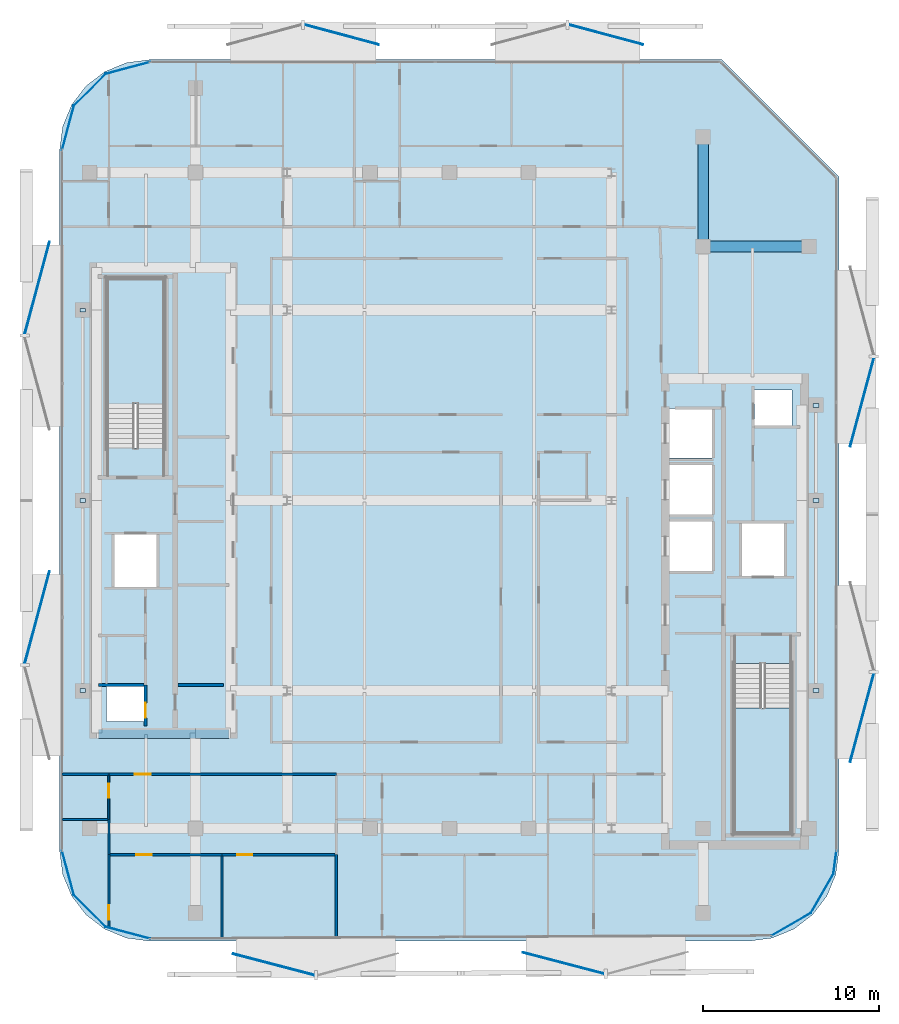
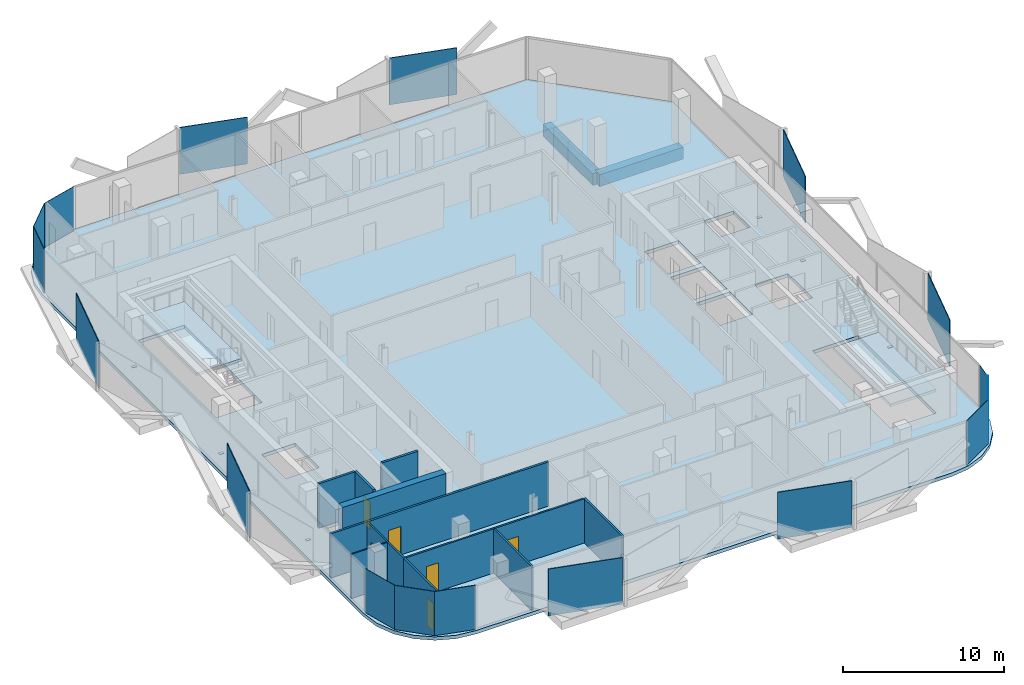
# One storey, part 2 of 15: 23 plates, 14 walls, 6 doors, 3 slabs, 2 beams, 6 openings, 2 elements without a shape of their own.
"""IFC4 building model written with IfcOpenShell, lengths in metres."""

from ifc_helpers import new_model, si_unit, direction, frame, frame_2d, origin, origin_2d, place, context, subcontext, project, spatial, polyline, rectangle, outline, extrude, material, layer, layer_set, material_profile, profile_set, type_object, element, fill, aggregate, save


model = new_model("IFC4")

# Units and contexts
model_context = context("Model", 3, precision=1e-05, world=origin(), true_north=direction((0.0, 1.0)))
body_context = subcontext(model_context, "Body", "Model", "MODEL_VIEW")
ifc_project = project(units=[si_unit("LENGTHUNIT", "METRE"), si_unit("AREAUNIT", "SQUARE_METRE"), si_unit("VOLUMEUNIT", "CUBIC_METRE"), si_unit("PLANEANGLEUNIT", "RADIAN"), si_unit("MASSUNIT", "GRAM", prefix="KILO")], contexts=[model_context])

# Site, building, storey
site_placement = place(None, origin())
site = spatial("IfcSite", under=ifc_project, at=site_placement, CompositionType="ELEMENT")
building_placement = place(site_placement, origin())
building = spatial("IfcBuilding", under=site, at=building_placement, Name="Khairoan Windgate Tower", CompositionType="ELEMENT")
storey_placement = place(building_placement, frame((0.0, 0.0, 251.199951171875)))
storey = spatial("IfcBuildingStorey", under=building, at=storey_placement, Name="L59", CompositionType="ELEMENT", Elevation=251.199951171875)

# Beams
ifc_material_1 = material(Name="Concrete C50/60", Category="concrete")
ifc_material_profile = material_profile(ifc_material_1, rectangle(XDim=0.60009765625, YDim=0.89990234375, at=origin_2d()))
ifc_profile_set = profile_set([ifc_material_profile], Name="Concrete C50/60")
beam_type = type_object("IfcBeamType", Name="Beam B-RC1 RC600x900", PredefinedType="BEAM", material=ifc_profile_set)
beam_1_placement = place(storey_placement, frame((14.39990234375, 14.39990234375, -0.7099609375), z_axis=(1.0, 0.0, 0.0), x_axis=(0.0, 1.0, 0.0)))
element("IfcBeam", 1, at=beam_1_placement, inside=storey, type_object=beam_type, Name="L59 E-W Primary Girder 21", PredefinedType="BEAM", context=body_context, shape_type="SweptSolid", body=[
    extrude(rectangle(XDim=0.60009765625, YDim=0.89990234375, at=origin_2d()), origin(), (0.0, 0.0, 1.0), 6.0),
])
beam_2_placement = place(storey_placement, frame((14.39990234375, 14.39990234375, -0.7099609375), z_axis=(0.0, 1.0, 0.0), x_axis=(-1.0, 0.0, 0.0)))
element("IfcBeam", 2, at=beam_2_placement, inside=storey, type_object=beam_type, Name="L59 N-S Primary Beam 53", PredefinedType="BEAM", context=body_context, shape_type="SweptSolid", body=[
    extrude(rectangle(XDim=0.60009765625, YDim=0.89990234375, at=origin_2d()), origin(), (0.0, 0.0, 1.0), 6.2001953125),
])

# Plates
ifc_material_2 = material(Name="Low-E Solar Control Laminated Glass", Category="glass")
ifc_layer_1 = layer(ifc_material_2, 0.030029296875, Name="Low-E Solar Control Laminated Glass")
ifc_layer_set_1 = layer_set([ifc_layer_1], Name="Low-E Solar Control Laminated Glass")
plate_type_1 = type_object("IfcPlateType", Name="Aerodynamic Wind-Corner Curved Glazing Plate", PredefinedType="USERDEFINED", material=ifc_layer_set_1)
plate_1_placement = place(storey_placement, frame((-18.235107421875, -24.527099609375, 0.0), z_axis=(0.0, 0.0, 1.0), x_axis=(-0.966061211211, 0.258313252067, 0.0)))
element("IfcPlate", 3, at=plate_1_placement, inside=storey, type_object=plate_type_1, Name="L59 Aerodynamic Wind-Corner Curved Glazing Panel 2", ObjectType="GLAZING PANEL", PredefinedType="USERDEFINED", context=body_context, shape_type="SweptSolid", body=[
    extrude(rectangle(XDim=2.6162109375, YDim=0.030029296875, at=origin_2d()), origin(), (0.0, 0.0, 1.0), 3.340087890625),
])
plate_2_placement = place(storey_placement, frame((-20.386962890625, -23.286865234375, 0.0), z_axis=(0.0, 0.0, 1.0), x_axis=(-0.707106781187, 0.707106781187, 0.0)))
element("IfcPlate", 4, at=plate_2_placement, inside=storey, type_object=plate_type_1, Name="L59 Aerodynamic Wind-Corner Curved Glazing Panel 3", ObjectType="GLAZING PANEL", PredefinedType="USERDEFINED", context=body_context, shape_type="SweptSolid", body=[
    extrude(rectangle(XDim=2.606689453125, YDim=0.030029296875, at=origin_2d()), origin(), (0.0, 0.0, 1.0), 3.340087890625),
])
for number, where, z_axis, x_axis, name in (
    (5, (-21.627197265625, -21.135009765625, 0.0), (0.0, 0.0, 1.0), (-0.258313252067, 0.966061211211, 0.0), "L59 Aerodynamic Wind-Corner Curved Glazing Panel 4"),
    (6, (-21.627197265625, 21.135009765625, 0.0), (0.0, 0.0, 1.0), (0.258313252067, 0.966061211211, 0.0), "L59 Aerodynamic Wind-Corner Curved Glazing Panel 6"),
):
    element("IfcPlate", number, at=place(storey_placement, frame(where, z_axis=z_axis, x_axis=x_axis)), inside=storey, type_object=plate_type_1, Name=name, ObjectType="GLAZING PANEL", PredefinedType="USERDEFINED", context=body_context, shape_type="SweptSolid", body=[
        extrude(rectangle(XDim=2.6162109375, YDim=0.030029296875, at=origin_2d()), origin(), (0.0, 0.0, 1.0), 3.340087890625),
    ])
plate_3_placement = place(storey_placement, frame((-20.386962890625, 23.286865234375, 0.0), z_axis=(0.0, 0.0, 1.0), x_axis=(0.707106781187, 0.707106781187, 0.0)))
element("IfcPlate", 7, at=plate_3_placement, inside=storey, type_object=plate_type_1, Name="L59 Aerodynamic Wind-Corner Curved Glazing Panel 7", ObjectType="GLAZING PANEL", PredefinedType="USERDEFINED", context=body_context, shape_type="SweptSolid", body=[
    extrude(rectangle(XDim=2.606689453125, YDim=0.030029296875, at=origin_2d()), origin(), (0.0, 0.0, 1.0), 3.340087890625),
])
plate_4_placement = place(storey_placement, frame((-18.235107421875, 24.527099609375, 0.0), z_axis=(0.0, 0.0, 1.0), x_axis=(0.966061211211, 0.258313252067, 0.0)))
element("IfcPlate", 8, at=plate_4_placement, inside=storey, type_object=plate_type_1, Name="L59 Aerodynamic Wind-Corner Curved Glazing Panel 8", ObjectType="GLAZING PANEL", PredefinedType="USERDEFINED", context=body_context, shape_type="SweptSolid", body=[
    extrude(rectangle(XDim=2.6162109375, YDim=0.030029296875, at=origin_2d()), origin(), (0.0, 0.0, 1.0), 3.340087890625),
])
plate_5_placement = place(storey_placement, frame((21.875, -20.537109375, 0.0), z_axis=(0.0, 0.0, 1.0), x_axis=(-0.13052619222, -0.991444861374, 0.0)))
element("IfcPlate", 9, at=plate_5_placement, inside=storey, type_object=plate_type_1, Name="L59 Aerodynamic Wind-Corner Curved Glazing Panel 12", ObjectType="GLAZING PANEL", PredefinedType="USERDEFINED", context=body_context, shape_type="SweptSolid", body=[
    extrude(rectangle(XDim=1.343994140625, YDim=0.030029296875, at=origin_2d()), origin(), (0.0, 0.0, 1.0), 3.340087890625),
])
for number, where, z_axis, x_axis, name in (
    (10, (21.148193359375, -22.294921875, 0.0), (0.0, 0.0, 1.0), (-0.5, -0.866025403784, 0.0), "L59 Aerodynamic Wind-Corner Curved Glazing Panel 13"),
    (11, (19.39501953125, -24.048095703125, 0.0), (0.0, 0.0, 1.0), (-0.866025403784, -0.5, 0.0), "L59 Aerodynamic Wind-Corner Curved Glazing Panel 14"),
):
    element("IfcPlate", number, at=place(storey_placement, frame(where, z_axis=z_axis, x_axis=x_axis)), inside=storey, type_object=plate_type_1, Name=name, ObjectType="GLAZING PANEL", PredefinedType="USERDEFINED", context=body_context, shape_type="SweptSolid", body=[
        extrude(rectangle(XDim=2.606689453125, YDim=0.030029296875, at=origin_2d()), origin(), (0.0, 0.0, 1.0), 3.340087890625),
    ])
ifc_material_3 = material(Name="Steel S355", Category="steel")
ifc_layer_2 = layer(ifc_material_3, 0.0400390625, Name="Steel S355")
ifc_layer_set_2 = layer_set([ifc_layer_2], Name="Steel S355")
plate_type_2 = type_object("IfcPlateType", Name="Hollow Section End-Cap Plate PL-CAP40", PredefinedType="SHEET", material=ifc_layer_set_2)
for number, where, z_axis, x_axis, name in (
    (12, (-20.800048828125, -10.784912109375, -0.429931640625), (0.0, 0.0, 1.0), (0.0, 1.0, 0.0), "BM-SP-L59-028 steel end-cap plate 1"),
    (13, (-20.800048828125, -0.014892578125, -0.429931640625), (0.0, 0.0, 1.0), (0.0, 1.0, 0.0), "BM-SP-L59-028 steel end-cap plate 2"),
    (14, (-20.800048828125, 10.784912109375, -0.429931640625), (0.0, 0.0, 1.0), (0.0, 1.0, 0.0), "BM-SP-L59-029 steel end-cap plate 2"),
    (15, (20.800048828125, -10.784912109375, -0.429931640625), (0.0, 0.0, 1.0), (0.0, 1.0, 0.0), "BM-SP-L59-057 steel end-cap plate 1"),
    (16, (20.800048828125, -0.014892578125, -0.429931640625), (0.0, 0.0, 1.0), (0.0, 1.0, 0.0), "BM-SP-L59-057 steel end-cap plate 2"),
    (17, (20.800048828125, 5.385009765625, -0.429931640625), (0.0, 0.0, 1.0), (0.0, 1.0, 0.0), "BM-SP-L59-058 steel end-cap plate 2"),
):
    element("IfcPlate", number, at=place(storey_placement, frame(where, z_axis=z_axis, x_axis=x_axis)), inside=storey, type_object=plate_type_2, Name=name, PredefinedType="SHEET", context=body_context, shape_type="SweptSolid", body=[
        extrude(rectangle(XDim=0.219970703125, YDim=0.320068359375, at=origin_2d()), origin(), (0.0, 0.0, 1.0), 0.0400390625),
    ])
ifc_material_4 = material(Name="Anodised Bronze Aluminium 6063-T6", Category="aluminium")
ifc_layer_3 = layer(ifc_material_4, 0.054931640625, Name="Anodised Bronze Aluminium 6063-T6")
ifc_layer_set_3 = layer_set([ifc_layer_3], Name="Anodised Bronze Aluminium 6063-T6")
plate_type_3 = type_object("IfcPlateType", Name="Perforated Bronze Solar Screen Upper Panel BSP-2", PredefinedType="USERDEFINED", material=ifc_layer_set_3)
for number, where, z_axis, x_axis, name in (
    (18, (6.47998046875, -26.25, -0.099853515625), (0.0, 0.0, 1.0), (-0.967179115616, 0.254095569259, 0.0), "L59 Perforated Bronze Solar Screen Panel 401R"),
    (19, (-9.957275390625, -26.3291015625, -0.099853515625), (0.0, 0.0, 1.0), (-0.967179115616, 0.254095569259, 0.0), "L59 Perforated Bronze Solar Screen Panel 402R"),
):
    element("IfcPlate", number, at=place(storey_placement, frame(where, z_axis=z_axis, x_axis=x_axis)), inside=storey, type_object=plate_type_3, Name=name, ObjectType="SCREEN", PredefinedType="USERDEFINED", context=body_context, shape_type="SweptSolid", body=[
        extrude(rectangle(XDim=4.76708984375, YDim=0.054931640625, at=origin_2d()), origin(), (0.0, 0.0, 1.0), 3.5400390625),
    ])
for number, where, z_axis, x_axis, name in (
    (20, (-23.378662109375, -6.6376953125, -0.099853515625), (0.0, 0.0, 1.0), (0.258819045103, 0.965925826289, 0.0), "L59 Perforated Bronze Solar Screen Panel 403R"),
    (21, (-23.378662109375, 12.052978515625, -0.099853515625), (0.0, 0.0, 1.0), (0.258819045103, 0.965925826289, 0.0), "L59 Perforated Bronze Solar Screen Panel 404R"),
):
    element("IfcPlate", number, at=place(storey_placement, frame(where, z_axis=z_axis, x_axis=x_axis)), inside=storey, type_object=plate_type_3, Name=name, ObjectType="SCREEN", PredefinedType="USERDEFINED", context=body_context, shape_type="SweptSolid", body=[
        extrude(rectangle(XDim=5.419921875, YDim=0.054931640625, at=origin_2d()), origin(), (0.0, 0.0, 1.0), 3.5400390625),
    ])
for number, where, z_axis, x_axis, name in (
    (22, (-6.102294921875, 26.417236328125, -0.099853515625), (0.0, 0.0, 1.0), (0.965925826289, -0.258819045103, 0.0), "L59 Perforated Bronze Solar Screen Panel 405R"),
    (23, (8.894287109375, 26.417236328125, -0.099853515625), (0.0, 0.0, 1.0), (0.965925826289, -0.258819045103, 0.0), "L59 Perforated Bronze Solar Screen Panel 406R"),
):
    element("IfcPlate", number, at=place(storey_placement, frame(where, z_axis=z_axis, x_axis=x_axis)), inside=storey, type_object=plate_type_3, Name=name, ObjectType="SCREEN", PredefinedType="USERDEFINED", context=body_context, shape_type="SweptSolid", body=[
        extrude(rectangle(XDim=4.34912109375, YDim=0.054931640625, at=origin_2d()), origin(), (0.0, 0.0, 1.0), 3.5400390625),
    ])
for number, where, z_axis, x_axis, name in (
    (24, (23.408447265625, 5.55712890625, -0.099853515625), (0.0, 0.0, 1.0), (-0.258819045103, -0.965925826289, 0.0), "L59 Perforated Bronze Solar Screen Panel 407R"),
    (25, (23.408447265625, -12.339111328125, -0.099853515625), (0.0, 0.0, 1.0), (-0.258819045103, -0.965925826289, 0.0), "L59 Perforated Bronze Solar Screen Panel 408R"),
):
    element("IfcPlate", number, at=place(storey_placement, frame(where, z_axis=z_axis, x_axis=x_axis)), inside=storey, type_object=plate_type_3, Name=name, ObjectType="SCREEN", PredefinedType="USERDEFINED", context=body_context, shape_type="SweptSolid", body=[
        extrude(rectangle(XDim=5.18994140625, YDim=0.054931640625, at=origin_2d()), origin(), (0.0, 0.0, 1.0), 3.5400390625),
    ])

# Stair, slab
ifc_material_5 = material(Name="Concrete C40/50", Category="concrete")
stair_type = type_object("IfcStairType", Name="Tower Core Dog-Leg Stair ST-T1 1560mm", PredefinedType="HALF_TURN_STAIR", material=ifc_material_5)
stair_1_placement = place(storey_placement, origin())
stair_1 = element("IfcStair", 26, at=stair_1_placement, inside=storey, type_object=stair_type, Name="L59 Stair ST1", PredefinedType="HALF_TURN_STAIR")
ifc_material_6 = material(Name="Concrete C40/50", Category="concrete")
ifc_layer_4 = layer(ifc_material_6, 0.199951171875, Name="Concrete C40/50")
ifc_layer_set_4 = layer_set([ifc_layer_4], Name="Concrete C40/50")
slab_type_1 = type_object("IfcSlabType", Name="Reinforced Concrete Stair Landing Slab STL-200", PredefinedType="LANDING", material=ifc_layer_set_4)
slab_1_placement = place(storey_placement, frame((0.0, 0.0, 1.60009765625)))
slab_1 = element("IfcSlab", 27, at=slab_1_placement, type_object=slab_type_1, Name="ST1 landing 1", PredefinedType="LANDING", context=body_context, shape_type="SweptSolid", body=[
    extrude(outline(polyline([(16.14990234375, -11.780029296875), (16.14990234375, -18.89990234375), (19.419921875, -18.89990234375), (19.419921875, -11.780029296875), (16.14990234375, -11.780029296875)])), origin(), (0.0, 0.0, 1.0), 0.199951171875),
])
aggregate(stair_1, [slab_1])

stair_2_placement = place(storey_placement, origin())
stair_2 = element("IfcStair", 28, at=stair_2_placement, inside=storey, type_object=stair_type, Name="L59 Stair ST2", PredefinedType="HALF_TURN_STAIR")
slab_2_placement = place(storey_placement, frame((0.0, 0.0, 1.60009765625)))
slab_2 = element("IfcSlab", 29, at=slab_2_placement, type_object=slab_type_1, Name="ST2 landing 1", PredefinedType="LANDING", context=body_context, shape_type="SweptSolid", body=[
    extrude(outline(polyline([(-16.14990234375, 5.47998046875), (-16.14990234375, 12.60009765625), (-19.419921875, 12.60009765625), (-19.419921875, 5.47998046875), (-16.14990234375, 5.47998046875)])), origin(), (0.0, 0.0, 1.0), 0.199951171875),
])
aggregate(stair_2, [slab_2])

# Slab
ifc_material_7 = material(Name="Concrete C40/50", Category="concrete")
ifc_layer_5 = layer(ifc_material_7, 0.260009765625, Name="Concrete C40/50")
ifc_layer_set_5 = layer_set([ifc_layer_5], Name="Concrete C40/50")
slab_type_2 = type_object("IfcSlabType", Name="Tower Composite Floor Slab FS2 260mm", PredefinedType="FLOOR", material=ifc_layer_set_5)
slab_3_placement = place(storey_placement, frame((0.0, 0.0, -0.260009765625)))
element("IfcSlab", 30, at=slab_3_placement, inside=storey, type_object=slab_type_2, Name="L59 Structural Floor Slab", PredefinedType="FLOOR", context=body_context, shape_type="SweptSolid", body=[
    extrude(outline(polyline([(17.0, -25.0), (18.320068359375, -24.826171875), (19.550048828125, -24.316650390625), (20.606201171875, -23.506103515625), (21.416748046875, -22.449951171875), (21.92626953125, -21.219970703125), (22.10009765625, -19.89990234375), (22.10009765625, 18.360107421875), (15.4599609375, 25.0), (-17.0, 25.0), (-18.320068359375, 24.826171875), (-19.550048828125, 24.316650390625), (-20.606201171875, 23.506103515625), (-21.416748046875, 22.449951171875), (-21.92626953125, 21.219970703125), (-22.10009765625, 19.89990234375), (-22.10009765625, -19.89990234375), (-21.92626953125, -21.219970703125), (-21.416748046875, -22.449951171875), (-20.606201171875, -23.506103515625), (-19.550048828125, -24.316650390625), (-18.320068359375, -24.826171875), (-17.0, -25.0), (17.0, -25.0)]), holes=[polyline([(16.14990234375, -9.260009765625), (16.14990234375, -18.89990234375), (19.419921875, -18.89990234375), (19.419921875, -9.260009765625), (16.14990234375, -9.260009765625)]), polyline([(-16.14990234375, 2.9599609375), (-16.14990234375, 12.60009765625), (-19.419921875, 12.60009765625), (-19.419921875, 2.9599609375), (-16.14990234375, 2.9599609375)]), polyline([(12.5, 2.39990234375), (14.89990234375, 2.39990234375), (14.89990234375, 5.199951171875), (12.5, 5.199951171875), (12.5, 2.39990234375)]), polyline([(12.5, -0.800048828125), (14.89990234375, -0.800048828125), (14.89990234375, 2.0), (12.5, 2.0), (12.5, -0.800048828125)]), polyline([(12.5, -4.0), (14.89990234375, -4.0), (14.89990234375, -1.199951171875), (12.5, -1.199951171875), (12.5, -4.0)]), polyline([(16.60009765625, -4.300048828125), (19.0, -4.300048828125), (19.0, -1.300048828125), (16.60009765625, -1.300048828125), (16.60009765625, -4.300048828125)]), polyline([(-19.0, -4.89990234375), (-16.60009765625, -4.89990234375), (-16.60009765625, -1.89990234375), (-19.0, -1.89990234375), (-19.0, -4.89990234375)]), polyline([(-19.449951171875, -12.550048828125), (-17.31005859375, -12.550048828125), (-17.31005859375, -10.550048828125), (-19.449951171875, -10.550048828125), (-19.449951171875, -12.550048828125)]), polyline([(17.31005859375, 4.25), (19.449951171875, 4.25), (19.449951171875, 6.25), (17.31005859375, 6.25), (17.31005859375, 4.25)])]), origin(), (0.0, 0.0, 1.0), 0.260009765625),
])

# Wall
ifc_material_8 = material(Name="Moisture-Resistant Gypsum Partition", Category="gypsum")
ifc_layer_6 = layer(ifc_material_8, 0.10009765625, Name="Moisture-Resistant Gypsum Partition")
ifc_layer_set_6 = layer_set([ifc_layer_6], Name="Moisture-Resistant Gypsum Partition")
wall_type_1 = type_object("IfcWallType", Name="Bathroom Wet-Area Partition Wall", PredefinedType="PARTITIONING", material=ifc_layer_set_6)
wall_1_placement = place(storey_placement, frame((-21.955078125, -18.10009765625, 0.0), z_axis=(0.0, 0.0, 1.0), x_axis=(1.0, 0.0, 0.0)))
element("IfcWall", 31, at=wall_1_placement, inside=storey, type_object=wall_type_1, Name="L59 Interior Partition 061", PredefinedType="PARTITIONING", context=body_context, shape_type="SweptSolid", body=[
    extrude(rectangle(XDim=2.594970703125, YDim=0.10009765625, at=frame_2d((1.29736328125, 0.0))), origin(), (0.0, 0.0, 1.0), 3.340087890625),
])

# Wall, opening, door
wall_2_placement = place(storey_placement, frame((-19.31005859375, -18.10009765625, 0.0), z_axis=(0.0, 0.0, 1.0), x_axis=(0.0, 1.0, 0.0)))
wall_2 = element("IfcWall", 32, at=wall_2_placement, inside=storey, type_object=wall_type_1, Name="L59 Interior Partition 062", PredefinedType="PARTITIONING", context=body_context, shape_type="SweptSolid", body=[
    extrude(rectangle(XDim=2.5, YDim=0.10009765625, at=frame_2d((1.25, 0.0))), origin(), (0.0, 0.0, 1.0), 3.340087890625),
])
opening_1_placement = place(wall_2_placement, frame((1.239990234375, 0.0, 0.0)))
opening_1 = element("IfcOpeningElement", 33, at=opening_1_placement, cuts=wall_2, Name="Opening ID-BTH", PredefinedType="OPENING", context=body_context, shape_type="SweptSolid", body=[
    extrude(rectangle(XDim=0.800048828125, YDim=2.10009765625, at=frame_2d((0.39990234375, 1.050048828125))), frame((0.0, 0.06005859375, 0.0), z_axis=(0.0, -1.0, 0.0), x_axis=(1.0, 0.0, 0.0)), (0.0, 0.0, 1.0), 0.1201171875),
])
ifc_material_9 = material(Name="Teak Veneer Timber Leaf", Category="wood")
door_type_1 = type_object("IfcDoorType", Name="Internal Bathroom Door ID-BTH 800x2100", OperationType="NOTDEFINED", PredefinedType="DOOR", material=ifc_material_9)
door_1_placement = place(opening_1_placement, origin())
door_1 = element("IfcDoor", 34, at=door_1_placement, inside=storey, type_object=door_type_1, Name="L59 L59-44-L59-46 Door", OperationType="SINGLE_SWING_RIGHT", OverallHeight=2.10009765625, OverallWidth=0.800048828125, PredefinedType="DOOR", context=body_context, shape_type="SweptSolid", body=[
    extrude(rectangle(XDim=0.800048828125, YDim=2.10009765625, at=frame_2d((0.39990234375, 1.050048828125))), frame((0.0, 0.02490234375, 0.0), z_axis=(0.0, -1.0, 0.0), x_axis=(1.0, 0.0, 0.0)), (0.0, 0.0, 1.0), 0.050048828125),
])
fill(opening_1, door_1)

# Walls
ifc_material_10 = material(Name="Concrete C40/50", Category="concrete")
ifc_layer_7 = layer(ifc_material_10, 0.159912109375, Name="Concrete C40/50")
ifc_layer_set_7 = layer_set([ifc_layer_7], Name="Concrete C40/50")
wall_type_2 = type_object("IfcWallType", Name="Core and Hoistway Enclosure Wall", PredefinedType="STANDARD", material=ifc_layer_set_7)
wall_3_placement = place(storey_placement, frame((-15.39990234375, -10.47998046875, 0.0), z_axis=(0.0, 0.0, 1.0), x_axis=(1.0, 0.0, 0.0)))
element("IfcWall", 35, at=wall_3_placement, inside=storey, type_object=wall_type_2, Name="L59 Core Shaft Wall SW-WSV-L59", PredefinedType="STANDARD", context=body_context, shape_type="SweptSolid", body=[
    extrude(rectangle(XDim=2.599853515625, YDim=0.159912109375, at=frame_2d((1.2998046875, 0.0))), origin(), (0.0, 0.0, 1.0), 3.340087890625),
])
ifc_material_11 = material(Name="Acoustic Fire-Rated Gypsum Partition", Category="gypsum")
ifc_layer_8 = layer(ifc_material_11, 0.139892578125, Name="Acoustic Fire-Rated Gypsum Partition")
ifc_layer_set_8 = layer_set([ifc_layer_8], Name="Acoustic Fire-Rated Gypsum Partition")
wall_type_3 = type_object("IfcWallType", Name="Inter-Tenancy Compartment Wall", PredefinedType="PARTITIONING", material=ifc_layer_set_8)
wall_4_placement = place(storey_placement, frame((-6.39990234375, -24.803955078125, 0.0), z_axis=(0.0, 0.0, 1.0), x_axis=(0.0, 1.0, 0.0)))
element("IfcWall", 36, at=wall_4_placement, inside=storey, type_object=wall_type_3, Name="L59 Interior Partition 070", PredefinedType="PARTITIONING", context=body_context, shape_type="SweptSolid", body=[
    extrude(rectangle(XDim=4.703857421875, YDim=0.139892578125, at=frame_2d((2.35205078125, 0.0))), origin(), (0.0, 0.0, 1.0), 3.340087890625),
])
ifc_material_12 = material(Name="Gypsum Stud Partition", Category="gypsum")
ifc_layer_9 = layer(ifc_material_12, 0.1201171875, Name="Gypsum Stud Partition")
ifc_layer_set_9 = layer_set([ifc_layer_9], Name="Gypsum Stud Partition")
wall_type_4 = type_object("IfcWallType", Name="Internal Room Partition Wall", PredefinedType="PARTITIONING", material=ifc_layer_set_9)
wall_5_placement = place(storey_placement, frame((-19.31005859375, -20.10009765625, 0.0), z_axis=(0.0, 0.0, 1.0), x_axis=(0.0, 1.0, 0.0)))
element("IfcWall", 37, at=wall_5_placement, inside=storey, type_object=wall_type_4, Name="L59 Interior Partition 063", PredefinedType="PARTITIONING", context=body_context, shape_type="SweptSolid", body=[
    extrude(rectangle(XDim=2.0, YDim=0.1201171875, at=frame_2d((1.0, 0.0))), origin(), (0.0, 0.0, 1.0), 3.340087890625),
])

# Wall, opening, door
wall_6_placement = place(storey_placement, frame((-19.31005859375, -24.234619140625, 0.0), z_axis=(0.0, 0.0, 1.0), x_axis=(0.0, 1.0, 0.0)))
wall_6 = element("IfcWall", 38, at=wall_6_placement, inside=storey, type_object=wall_type_4, Name="L59 Interior Partition 064", PredefinedType="PARTITIONING", context=body_context, shape_type="SweptSolid", body=[
    extrude(rectangle(XDim=4.134521484375, YDim=0.1201171875, at=frame_2d((2.0673828125, 0.0))), origin(), (0.0, 0.0, 1.0), 3.340087890625),
])
opening_2_placement = place(wall_6_placement, frame((0.4599609375, 0.0, 0.0)))
opening_2 = element("IfcOpeningElement", 39, at=opening_2_placement, cuts=wall_6, Name="Opening ID-BTH", PredefinedType="OPENING", context=body_context, shape_type="SweptSolid", body=[
    extrude(rectangle(XDim=0.800048828125, YDim=2.10009765625, at=frame_2d((0.39990234375, 1.050048828125))), frame((0.0, 0.070068359375, 0.0), z_axis=(0.0, -1.0, 0.0), x_axis=(1.0, 0.0, 0.0)), (0.0, 0.0, 1.0), 0.14013671875),
])
door_2_placement = place(opening_2_placement, origin())
door_2 = element("IfcDoor", 40, at=door_2_placement, inside=storey, type_object=door_type_1, Name="L59 L59-45-L59-47 Door", OperationType="SINGLE_SWING_LEFT", OverallHeight=2.10009765625, OverallWidth=0.800048828125, PredefinedType="DOOR", context=body_context, shape_type="SweptSolid", body=[
    extrude(rectangle(XDim=0.800048828125, YDim=2.10009765625, at=frame_2d((0.39990234375, 1.050048828125))), frame((0.0, 0.02490234375, 0.0), z_axis=(0.0, -1.0, 0.0), x_axis=(1.0, 0.0, 0.0)), (0.0, 0.0, 1.0), 0.050048828125),
])
fill(opening_2, door_2)

wall_7_placement = place(storey_placement, frame((-19.25, -20.10009765625, 0.0), z_axis=(0.0, 0.0, 1.0), x_axis=(1.0, 0.0, 0.0)))
wall_7 = element("IfcWall", 41, at=wall_7_placement, inside=storey, type_object=wall_type_4, Name="L59 Interior Partition 065", PredefinedType="PARTITIONING", context=body_context, shape_type="SweptSolid", body=[
    extrude(rectangle(XDim=6.35498046875, YDim=0.1201171875, at=frame_2d((3.177490234375, 0.0))), origin(), (0.0, 0.0, 1.0), 3.340087890625),
])
opening_3_placement = place(wall_7_placement, frame((1.499755859375, 0.0, 0.0)))
opening_3 = element("IfcOpeningElement", 42, at=opening_3_placement, cuts=wall_7, Name="Opening ID-RM", PredefinedType="OPENING", context=body_context, shape_type="SweptSolid", body=[
    extrude(rectangle(XDim=0.860107421875, YDim=2.14990234375, at=frame_2d((0.43017578125, 1.074951171875))), frame((0.0, 0.070068359375, 0.0), z_axis=(0.0, -1.0, 0.0), x_axis=(1.0, 0.0, 0.0)), (0.0, 0.0, 1.0), 0.14013671875),
])
ifc_material_13 = material(Name="Teak Veneer Timber Leaf", Category="wood")
door_type_2 = type_object("IfcDoorType", Name="Internal Bedroom and Office Door ID-RM 860x2150", OperationType="NOTDEFINED", PredefinedType="DOOR", material=ifc_material_13)
door_3_placement = place(opening_3_placement, origin())
door_3 = element("IfcDoor", 43, at=door_3_placement, inside=storey, type_object=door_type_2, Name="L59 L59-46-L59-47 Door", OperationType="SINGLE_SWING_RIGHT", OverallHeight=2.14990234375, OverallWidth=0.860107421875, PredefinedType="DOOR", context=body_context, shape_type="SweptSolid", body=[
    extrude(rectangle(XDim=0.860107421875, YDim=2.14990234375, at=frame_2d((0.43017578125, 1.074951171875))), frame((0.0, 0.02490234375, 0.0), z_axis=(0.0, -1.0, 0.0), x_axis=(1.0, 0.0, 0.0)), (0.0, 0.0, 1.0), 0.050048828125),
])
fill(opening_3, door_3)

wall_8_placement = place(storey_placement, frame((-12.89501953125, -20.10009765625, 0.0), z_axis=(0.0, 0.0, 1.0), x_axis=(1.0, 0.0, 0.0)))
wall_8 = element("IfcWall", 44, at=wall_8_placement, inside=storey, type_object=wall_type_4, Name="L59 Interior Partition 066", PredefinedType="PARTITIONING", context=body_context, shape_type="SweptSolid", body=[
    extrude(rectangle(XDim=6.425048828125, YDim=0.1201171875, at=frame_2d((3.21240234375, 0.0))), origin(), (0.0, 0.0, 1.0), 3.340087890625),
])
opening_4_placement = place(wall_8_placement, frame((0.864013671875, 0.0, 0.0)))
opening_4 = element("IfcOpeningElement", 45, at=opening_4_placement, cuts=wall_8, Name="Opening ID-RM", PredefinedType="OPENING", context=body_context, shape_type="SweptSolid", body=[
    extrude(rectangle(XDim=0.860107421875, YDim=2.14990234375, at=frame_2d((0.43017578125, 1.074951171875))), frame((0.0, 0.070068359375, 0.0), z_axis=(0.0, -1.0, 0.0), x_axis=(1.0, 0.0, 0.0)), (0.0, 0.0, 1.0), 0.14013671875),
])
door_4_placement = place(opening_4_placement, origin())
door_4 = element("IfcDoor", 46, at=door_4_placement, inside=storey, type_object=door_type_2, Name="L59 L59-46-L59-48 Door", OperationType="SINGLE_SWING_LEFT", OverallHeight=2.14990234375, OverallWidth=0.860107421875, PredefinedType="DOOR", context=body_context, shape_type="SweptSolid", body=[
    extrude(rectangle(XDim=0.860107421875, YDim=2.14990234375, at=frame_2d((0.43017578125, 1.074951171875))), frame((0.0, 0.02490234375, 0.0), z_axis=(0.0, -1.0, 0.0), x_axis=(1.0, 0.0, 0.0)), (0.0, 0.0, 1.0), 0.050048828125),
])
fill(opening_4, door_4)

# Wall
wall_9_placement = place(storey_placement, frame((-12.89501953125, -24.835205078125, 0.0), z_axis=(0.0, 0.0, 1.0), x_axis=(0.0, 1.0, 0.0)))
element("IfcWall", 47, at=wall_9_placement, inside=storey, type_object=wall_type_4, Name="L59 Interior Partition 069", PredefinedType="PARTITIONING", context=body_context, shape_type="SweptSolid", body=[
    extrude(rectangle(XDim=4.67529296875, YDim=0.1201171875, at=frame_2d((2.337646484375, 0.0))), origin(), (0.0, 0.0, 1.0), 3.340087890625),
])

# Wall, opening, door
ifc_material_14 = material(Name="Concrete C40/50", Category="concrete")
ifc_layer_10 = layer(ifc_material_14, 0.159912109375, Name="Concrete C40/50")
ifc_layer_set_10 = layer_set([ifc_layer_10], Name="Concrete C40/50")
wall_type_5 = type_object("IfcWallType", Name="Plant and Refuge Compartment Wall", PredefinedType="PARTITIONING", material=ifc_layer_set_10)
wall_10_placement = place(storey_placement, frame((-17.22998046875, -12.7900390625, 0.0), z_axis=(0.0, 0.0, 1.0), x_axis=(0.0, 1.0, 0.0)))
wall_10 = element("IfcWall", 48, at=wall_10_placement, inside=storey, type_object=wall_type_5, Name="L59 Interior Partition 001", PredefinedType="PARTITIONING", context=body_context, shape_type="SweptSolid", body=[
    extrude(rectangle(XDim=2.320068359375, YDim=0.159912109375, at=frame_2d((1.16015625, 0.0))), origin(), (0.0, 0.0, 1.0), 3.340087890625),
])
opening_5_placement = place(wall_10_placement, frame((0.4599609375, 0.0, 0.0)))
opening_5 = element("IfcOpeningElement", 49, at=opening_5_placement, cuts=wall_10, Name="Opening FD-SRV", PredefinedType="OPENING", context=body_context, shape_type="SweptSolid", body=[
    extrude(rectangle(XDim=0.85009765625, YDim=2.10009765625, at=frame_2d((0.425048828125, 1.050048828125))), frame((0.0, 0.08984375, 0.0), z_axis=(0.0, -1.0, 0.0), x_axis=(1.0, 0.0, 0.0)), (0.0, 0.0, 1.0), 0.179931640625),
])
ifc_material_15 = material(Name="Steel S355", Category="steel")
door_type_3 = type_object("IfcDoorType", Name="Core Service and Riser Fire Door FD-SRV 850x2100", OperationType="NOTDEFINED", PredefinedType="DOOR", material=ifc_material_15)
door_5_placement = place(opening_5_placement, origin())
door_5 = element("IfcDoor", 50, at=door_5_placement, inside=storey, type_object=door_type_3, Name="L59 L59-04-L59-05 Door", OperationType="SINGLE_SWING_LEFT", OverallHeight=2.10009765625, OverallWidth=0.85009765625, PredefinedType="DOOR", context=body_context, shape_type="SweptSolid", body=[
    extrude(rectangle(XDim=0.85009765625, YDim=2.10009765625, at=frame_2d((0.425048828125, 1.050048828125))), frame((0.0, 0.02490234375, 0.0), z_axis=(0.0, -1.0, 0.0), x_axis=(1.0, 0.0, 0.0)), (0.0, 0.0, 1.0), 0.050048828125),
])
fill(opening_5, door_5)

# Walls
wall_11_placement = place(storey_placement, frame((-19.89990234375, -10.469970703125, 0.0), z_axis=(0.0, 0.0, 1.0), x_axis=(1.0, 0.0, 0.0)))
element("IfcWall", 51, at=wall_11_placement, inside=storey, type_object=wall_type_5, Name="L59 Interior Partition 004", PredefinedType="PARTITIONING", context=body_context, shape_type="SweptSolid", body=[
    extrude(rectangle(XDim=2.58984375, YDim=0.159912109375, at=frame_2d((1.294921875, 0.0))), origin(), (0.0, 0.0, 1.0), 3.340087890625),
])
ifc_material_16 = material(Name="Acoustic Fire-Rated Gypsum Partition", Category="gypsum")
ifc_layer_11 = layer(ifc_material_16, 0.14990234375, Name="Acoustic Fire-Rated Gypsum Partition")
ifc_layer_set_11 = layer_set([ifc_layer_11], Name="Acoustic Fire-Rated Gypsum Partition")
wall_type_6 = type_object("IfcWallType", Name="Rated Corridor Partition Wall", PredefinedType="PARTITIONING", material=ifc_layer_set_11)
wall_12_placement = place(storey_placement, frame((-21.955078125, -15.52490234375, 0.0), z_axis=(0.0, 0.0, 1.0), x_axis=(1.0, 0.0, 0.0)))
element("IfcWall", 52, at=wall_12_placement, inside=storey, type_object=wall_type_6, Name="L59 Interior Partition 032", PredefinedType="PARTITIONING", context=body_context, shape_type="SweptSolid", body=[
    extrude(rectangle(XDim=2.64501953125, YDim=0.14990234375, at=frame_2d((1.322509765625, 0.0))), origin(), (0.0, 0.0, 1.0), 3.340087890625),
])

# Wall, opening, door
wall_13_placement = place(storey_placement, frame((-19.31005859375, -15.52490234375, 0.0), z_axis=(0.0, 0.0, 1.0), x_axis=(1.0, 0.0, 0.0)))
wall_13 = element("IfcWall", 53, at=wall_13_placement, inside=storey, type_object=wall_type_6, Name="L59 Interior Partition 033", PredefinedType="PARTITIONING", context=body_context, shape_type="SweptSolid", body=[
    extrude(rectangle(XDim=12.91015625, YDim=0.14990234375, at=frame_2d((6.455078125, 0.0))), origin(), (0.0, 0.0, 1.0), 3.340087890625),
])
opening_6_placement = place(wall_13_placement, frame((1.46826171875, 0.0, 0.0)))
opening_6 = element("IfcOpeningElement", 54, at=opening_6_placement, cuts=wall_13, Name="Opening FD-ENT", PredefinedType="OPENING", context=body_context, shape_type="SweptSolid", body=[
    extrude(rectangle(XDim=0.89990234375, YDim=2.14990234375, at=frame_2d((0.449951171875, 1.074951171875))), frame((0.0, 0.0849609375, 0.0), z_axis=(0.0, -1.0, 0.0), x_axis=(1.0, 0.0, 0.0)), (0.0, 0.0, 1.0), 0.169921875),
])
ifc_material_17 = material(Name="Timber Fire-Rated Core", Category="wood")
door_type_4 = type_object("IfcDoorType", Name="Unit and Office Fire Entrance Door FD-ENT 900x2150", OperationType="NOTDEFINED", PredefinedType="DOOR", material=ifc_material_17)
door_6_placement = place(opening_6_placement, origin())
door_6 = element("IfcDoor", 55, at=door_6_placement, inside=storey, type_object=door_type_4, Name="L59 L59-31-L59-46 Door", OperationType="SINGLE_SWING_LEFT", OverallHeight=2.14990234375, OverallWidth=0.89990234375, PredefinedType="DOOR", context=body_context, shape_type="SweptSolid", body=[
    extrude(rectangle(XDim=0.89990234375, YDim=2.14990234375, at=frame_2d((0.449951171875, 1.074951171875))), frame((0.0, 0.02490234375, 0.0), z_axis=(0.0, -1.0, 0.0), x_axis=(1.0, 0.0, 0.0)), (0.0, 0.0, 1.0), 0.050048828125),
])
fill(opening_6, door_6)

# Wall
ifc_material_18 = material(Name="Concrete C50/60", Category="concrete")
ifc_layer_12 = layer(ifc_material_18, 0.5, Name="Concrete C50/60")
ifc_layer_set_12 = layer_set([ifc_layer_12], Name="Concrete C50/60")
wall_type_7 = type_object("IfcWallType", Name="Shear Wall CW-W3 500mm", PredefinedType="SHEAR", material=ifc_layer_set_12)
wall_14_placement = place(storey_placement, frame((-19.89990234375, -13.25, 0.0), z_axis=(0.0, 0.0, 1.0), x_axis=(1.0, 0.0, 0.0)))
element("IfcWall", 56, at=wall_14_placement, inside=storey, type_object=wall_type_7, Name="W Core South Shear Wall L59", PredefinedType="SHEAR", context=body_context, shape_type="SweptSolid", body=[
    extrude(rectangle(XDim=7.39990234375, YDim=0.5, at=frame_2d((3.699951171875, 0.0))), origin(), (0.0, 0.0, 1.0), 3.340087890625),
])

save(model, "model.ifc")
